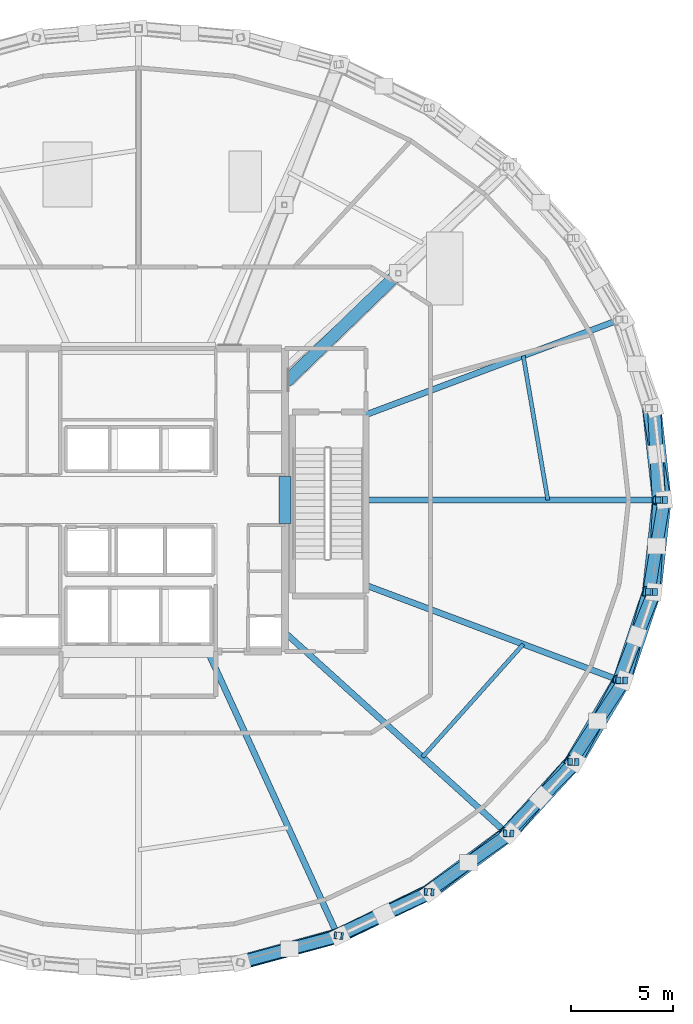
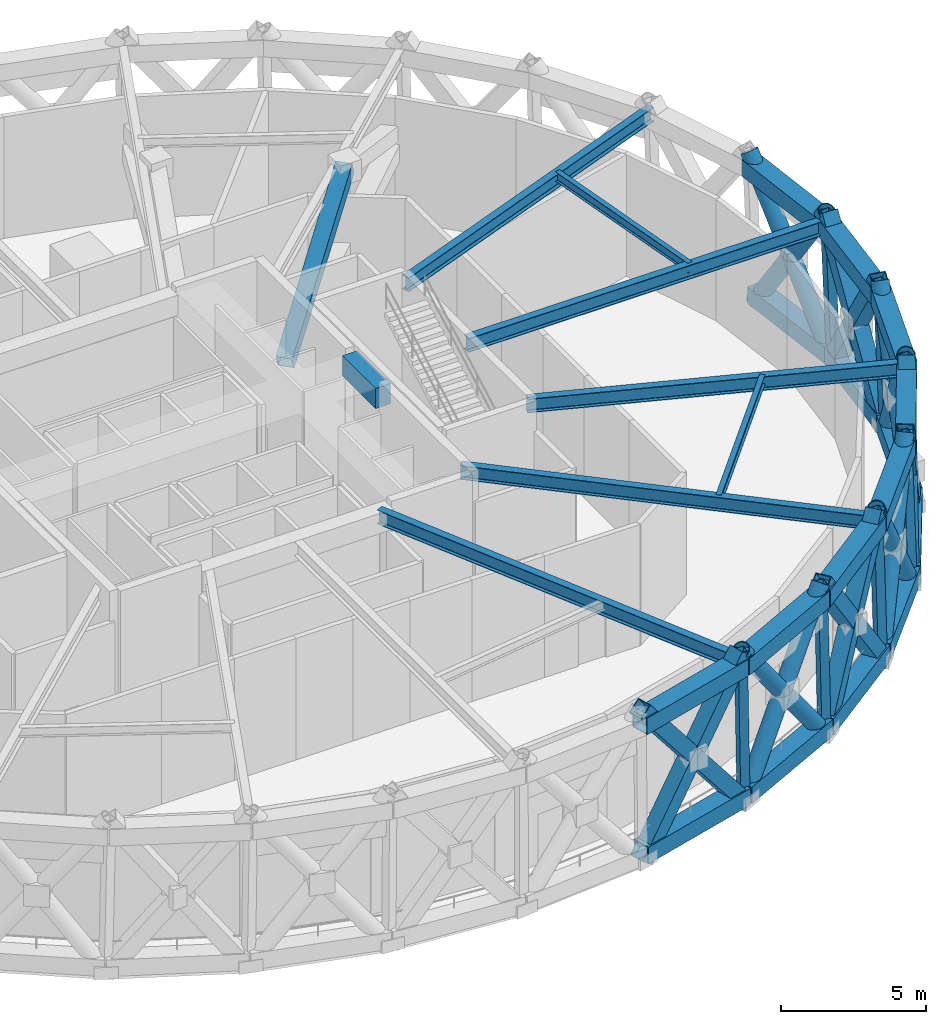
# One storey, part 3 of 15: 32 members, 24 beams.
"""IFC4 building model written with IfcOpenShell, lengths in metres."""

from ifc_helpers import new_model, si_unit, direction, frame, origin, origin_2d, place, context, subcontext, project, spatial, rectangle, hollow_rectangle, hollow_circle, i_section, extrude, material, material_profile, profile_set, type_object, element, save


model = new_model("IFC4")

# Units and contexts
model_context = context("Model", 3, precision=1e-05, world=origin(), true_north=direction((0.0, 1.0)))
body_context = subcontext(model_context, "Body", "Model", "MODEL_VIEW")
ifc_project = project(units=[si_unit("LENGTHUNIT", "METRE"), si_unit("AREAUNIT", "SQUARE_METRE"), si_unit("VOLUMEUNIT", "CUBIC_METRE"), si_unit("PLANEANGLEUNIT", "RADIAN"), si_unit("MASSUNIT", "GRAM", prefix="KILO")], contexts=[model_context])

# Site, building, storey
site_placement = place(None, origin())
site = spatial("IfcSite", under=ifc_project, at=site_placement, CompositionType="ELEMENT")
building_placement = place(site_placement, origin())
building = spatial("IfcBuilding", under=site, at=building_placement, Name="Veldorina Hangang Commons", CompositionType="ELEMENT")
storey_placement = place(building_placement, frame((0.0, 0.0, 208.39990234375)))
storey = spatial("IfcBuildingStorey", under=building, at=storey_placement, Name="L54", CompositionType="ELEMENT", Elevation=208.39990234375)

# Beams
ifc_material_1 = material(Name="Steel SM460-TMC", Category="steel")
ifc_material_profile_1 = material_profile(ifc_material_1, hollow_rectangle(XDim=0.699951171875, YDim=0.699951171875, WallThickness=0.034912109375, at=origin_2d()), Name="BOX-700x700x35")
ifc_profile_set_1 = profile_set([ifc_material_profile_1], Name="Steel SM460-TMC")
beam_type_1 = type_object("IfcBeamType", Name="BM-BLT700", PredefinedType="BEAM", material=ifc_profile_set_1)
beam_1_placement = place(storey_placement, frame((57.614013671875, 24.0, 5.81005859375), z_axis=(-0.108251747865, 0.994123512992, 0.0), x_axis=(-0.994123512992, -0.108251747865, 0.0)))
element("IfcBeam", 1, at=beam_1_placement, inside=storey, type_object=beam_type_1, Name="L54 perimeter hoop ring beam 00", PredefinedType="BEAM", context=body_context, shape_type="SweptSolid", body=[
    extrude(hollow_rectangle(XDim=0.699951171875, YDim=0.699951171875, WallThickness=0.034912109375, at=origin_2d()), origin(), (0.0, 0.0, 1.0), 4.548828125),
])
beam_2_placement = place(storey_placement, frame((36.9970703125, 1.265380859375, 5.81005859375), z_axis=(0.964308978563, 0.264779519341, 0.0), x_axis=(-0.264779519341, 0.964308978563, 0.0)))
element("IfcBeam", 2, at=beam_2_placement, inside=storey, type_object=beam_type_1, Name="L54 perimeter hoop ring beam 25", PredefinedType="BEAM", context=body_context, shape_type="SweptSolid", body=[
    extrude(hollow_rectangle(XDim=0.699951171875, YDim=0.699951171875, WallThickness=0.034912109375, at=origin_2d()), origin(), (0.0, 0.0, 1.0), 4.982666015625),
])
beam_3_placement = place(storey_placement, frame((41.802001953125, 2.584716796875, 5.81005859375), z_axis=(0.90022640721, 0.435422112165, 0.0), x_axis=(-0.435422112165, 0.90022640721, 0.0)))
element("IfcBeam", 3, at=beam_3_placement, inside=storey, type_object=beam_type_1, Name="L54 perimeter hoop ring beam 26", PredefinedType="BEAM", context=body_context, shape_type="SweptSolid", body=[
    extrude(hollow_rectangle(XDim=0.699951171875, YDim=0.699951171875, WallThickness=0.034912109375, at=origin_2d()), origin(), (0.0, 0.0, 1.0), 4.9189453125),
])
beam_4_placement = place(storey_placement, frame((46.230224609375, 4.7265625, 5.81005859375), z_axis=(0.802808760637, 0.596236608944, 0.0), x_axis=(-0.596236608944, 0.802808760637, 0.0)))
element("IfcBeam", 4, at=beam_4_placement, inside=storey, type_object=beam_type_1, Name="L54 perimeter hoop ring beam 27", PredefinedType="BEAM", context=body_context, shape_type="SweptSolid", body=[
    extrude(hollow_rectangle(XDim=0.699951171875, YDim=0.699951171875, WallThickness=0.034912109375, at=origin_2d()), origin(), (0.0, 0.0, 1.0), 4.8349609375),
])
beam_5_placement = place(storey_placement, frame((50.11181640625, 7.609375, 5.81005859375), z_axis=(0.67176763512, 0.740761935041, 0.0), x_axis=(-0.740761935041, 0.67176763512, 0.0)))
element("IfcBeam", 5, at=beam_5_placement, inside=storey, type_object=beam_type_1, Name="L54 perimeter hoop ring beam 28", PredefinedType="BEAM", context=body_context, shape_type="SweptSolid", body=[
    extrude(hollow_rectangle(XDim=0.699951171875, YDim=0.699951171875, WallThickness=0.034912109375, at=origin_2d()), origin(), (0.0, 0.0, 1.0), 4.74169921875),
])
beam_6_placement = place(storey_placement, frame((53.297119140625, 11.121826171875, 5.81005859375), z_axis=(0.508582629605, 0.861013187393, 0.0), x_axis=(-0.861013187393, 0.508582629605, 0.0)))
element("IfcBeam", 6, at=beam_6_placement, inside=storey, type_object=beam_type_1, Name="L54 perimeter hoop ring beam 29", PredefinedType="BEAM", context=body_context, shape_type="SweptSolid", body=[
    extrude(hollow_rectangle(XDim=0.699951171875, YDim=0.699951171875, WallThickness=0.034912109375, at=origin_2d()), origin(), (0.0, 0.0, 1.0), 4.654541015625),
])
beam_7_placement = place(storey_placement, frame((55.664306640625, 15.12939453125, 5.81005859375), z_axis=(0.317760524963, 0.948171001864, 0.0), x_axis=(-0.948171001864, 0.317760524963, 0.0)))
element("IfcBeam", 7, at=beam_7_placement, inside=storey, type_object=beam_type_1, Name="L54 perimeter hoop ring beam 30", PredefinedType="BEAM", context=body_context, shape_type="SweptSolid", body=[
    extrude(hollow_rectangle(XDim=0.699951171875, YDim=0.699951171875, WallThickness=0.034912109375, at=origin_2d()), origin(), (0.0, 0.0, 1.0), 4.586181640625),
])
beam_8_placement = place(storey_placement, frame((57.12158203125, 19.477783203125, 5.81005859375), z_axis=(0.108251747865, 0.994123512992, 0.0), x_axis=(-0.994123512992, 0.108251747865, 0.0)))
element("IfcBeam", 8, at=beam_8_placement, inside=storey, type_object=beam_type_1, Name="L54 perimeter hoop ring beam 31", PredefinedType="BEAM", context=body_context, shape_type="SweptSolid", body=[
    extrude(hollow_rectangle(XDim=0.699951171875, YDim=0.699951171875, WallThickness=0.034912109375, at=origin_2d()), origin(), (0.0, 0.0, 1.0), 4.548828125),
])
beam_9_placement = place(storey_placement, frame((57.84912109375, 24.0, 0.35009765625), z_axis=(-0.109100928002, 0.994030677348, 0.0), x_axis=(-0.994030677348, -0.109100928002, 0.0)))
element("IfcBeam", 9, at=beam_9_placement, inside=storey, type_object=beam_type_1, Name="L54 perimeter belt truss bottom chord 00", PredefinedType="BEAM", context=body_context, shape_type="SweptSolid", body=[
    extrude(hollow_rectangle(XDim=0.699951171875, YDim=0.699951171875, WallThickness=0.034912109375, at=origin_2d()), origin(), (0.0, 0.0, 1.0), 4.551513671875),
])
beam_10_placement = place(storey_placement, frame((37.04296875, 1.254638671875, 0.35009765625), z_axis=(0.964898224681, 0.262624096396, 0.0), x_axis=(-0.262624096396, 0.964898224681, 0.0)))
element("IfcBeam", 10, at=beam_10_placement, inside=storey, type_object=beam_type_1, Name="L54 perimeter belt truss bottom chord 25", PredefinedType="BEAM", context=body_context, shape_type="SweptSolid", body=[
    extrude(hollow_rectangle(XDim=0.699951171875, YDim=0.699951171875, WallThickness=0.034912109375, at=origin_2d()), origin(), (0.0, 0.0, 1.0), 5.025634765625),
])
beam_11_placement = place(storey_placement, frame((41.89208984375, 2.574462890625, 0.35009765625), z_axis=(0.901684415372, 0.432394744504, 0.0), x_axis=(-0.432394744504, 0.901684415372, 0.0)))
element("IfcBeam", 11, at=beam_11_placement, inside=storey, type_object=beam_type_1, Name="L54 perimeter belt truss bottom chord 26", PredefinedType="BEAM", context=body_context, shape_type="SweptSolid", body=[
    extrude(hollow_rectangle(XDim=0.699951171875, YDim=0.699951171875, WallThickness=0.034912109375, at=origin_2d()), origin(), (0.0, 0.0, 1.0), 4.956298828125),
])
beam_12_placement = place(storey_placement, frame((46.361083984375, 4.717529296875, 0.35009765625), z_axis=(0.805268985683, 0.592909656437, 0.0), x_axis=(-0.592909656437, 0.805268985683, 0.0)))
element("IfcBeam", 12, at=beam_12_placement, inside=storey, type_object=beam_type_1, Name="L54 perimeter belt truss bottom chord 27", PredefinedType="BEAM", context=body_context, shape_type="SweptSolid", body=[
    extrude(hollow_rectangle(XDim=0.699951171875, YDim=0.699951171875, WallThickness=0.034912109375, at=origin_2d()), origin(), (0.0, 0.0, 1.0), 4.8642578125),
])
beam_13_placement = place(storey_placement, frame((50.278076171875, 7.6015625, 0.35009765625), z_axis=(0.674986151798, 0.737830397097, 0.0), x_axis=(-0.737830397097, 0.674986151798, 0.0)))
element("IfcBeam", 13, at=beam_13_placement, inside=storey, type_object=beam_type_1, Name="L54 perimeter belt truss bottom chord 28", PredefinedType="BEAM", context=body_context, shape_type="SweptSolid", body=[
    extrude(hollow_rectangle(XDim=0.699951171875, YDim=0.699951171875, WallThickness=0.034912109375, at=origin_2d()), origin(), (0.0, 0.0, 1.0), 4.762939453125),
])
beam_14_placement = place(storey_placement, frame((53.492919921875, 11.11572265625, 0.35009765625), z_axis=(0.511808460899, 0.8590995864, 0.0), x_axis=(-0.8590995864, 0.511808460899, 0.0)))
element("IfcBeam", 14, at=beam_14_placement, inside=storey, type_object=beam_type_1, Name="L54 perimeter belt truss bottom chord 29", PredefinedType="BEAM", context=body_context, shape_type="SweptSolid", body=[
    extrude(hollow_rectangle(XDim=0.699951171875, YDim=0.699951171875, WallThickness=0.034912109375, at=origin_2d()), origin(), (0.0, 0.0, 1.0), 4.667236328125),
])
beam_15_placement = place(storey_placement, frame((55.881591796875, 15.125244140625, 0.35009765625), z_axis=(0.32030776452, 0.947313536263, 0.0), x_axis=(-0.947313536263, 0.32030776452, 0.0)))
element("IfcBeam", 15, at=beam_15_placement, inside=storey, type_object=beam_type_1, Name="L54 perimeter belt truss bottom chord 30", PredefinedType="BEAM", context=body_context, shape_type="SweptSolid", body=[
    extrude(hollow_rectangle(XDim=0.699951171875, YDim=0.699951171875, WallThickness=0.034912109375, at=origin_2d()), origin(), (0.0, 0.0, 1.0), 4.59228515625),
])
beam_16_placement = place(storey_placement, frame((57.3525390625, 19.4755859375, 0.35009765625), z_axis=(0.109100928002, 0.994030677348, 0.0), x_axis=(-0.994030677348, 0.109100928002, 0.0)))
element("IfcBeam", 16, at=beam_16_placement, inside=storey, type_object=beam_type_1, Name="L54 perimeter belt truss bottom chord 31", PredefinedType="BEAM", context=body_context, shape_type="SweptSolid", body=[
    extrude(hollow_rectangle(XDim=0.699951171875, YDim=0.699951171875, WallThickness=0.034912109375, at=origin_2d()), origin(), (0.0, 0.0, 1.0), 4.551513671875),
])
ifc_material_2 = material(Name="Concrete C60/75", Category="concrete")
ifc_material_profile_2 = material_profile(ifc_material_2, rectangle(XDim=0.60009765625, YDim=0.85009765625, at=origin_2d()), Name="RC-CB-600x850")
ifc_profile_set_2 = profile_set([ifc_material_profile_2], Name="Concrete C60/75")
beam_type_2 = type_object("IfcBeamType", Name="BM-CB850", PredefinedType="LINTEL", material=ifc_profile_set_2)
beam_17_placement = place(storey_placement, frame((39.199951171875, 22.85009765625, 5.735107421875), z_axis=(0.0, 1.0, 0.0), x_axis=(-1.0, 0.0, 0.0)))
element("IfcBeam", 17, at=beam_17_placement, inside=storey, type_object=beam_type_2, Name="L54 E core coupling lintel beam", PredefinedType="LINTEL", context=body_context, shape_type="SweptSolid", body=[
    extrude(rectangle(XDim=0.60009765625, YDim=0.85009765625, at=origin_2d()), origin(), (0.0, 0.0, 1.0), 2.2998046875),
])
ifc_material_profile_3 = material_profile(ifc_material_1, i_section(OverallWidth=0.300048828125, OverallDepth=0.587890625, WebThickness=0.011962890625, FlangeThickness=0.02001953125, FilletRadius=0.01806640625, at=origin_2d()), Name="H-588x300x12x20")
ifc_profile_set_3 = profile_set([ifc_material_profile_3], Name="Steel SM460-TMC")
beam_type_3 = type_object("IfcBeamType", Name="BM-FG588", PredefinedType="BEAM", material=ifc_profile_set_3)
beam_18_placement = place(storey_placement, frame((43.179931640625, 24.0, 5.8662109375), z_axis=(1.0, 0.0, 0.0), x_axis=(0.0, 1.0, 0.0)))
element("IfcBeam", 18, at=beam_18_placement, inside=storey, type_object=beam_type_3, Name="L54 radial floor girder 01", PredefinedType="BEAM", context=body_context, shape_type="SweptSolid", body=[
    extrude(i_section(OverallWidth=0.300048828125, OverallDepth=0.587890625, WebThickness=0.011962890625, FlangeThickness=0.02001953125, FilletRadius=0.01806640625, at=origin_2d()), origin(), (0.0, 0.0, 1.0), 14.43408203125),
])
beam_19_placement = place(storey_placement, frame((43.179931640625, 28.19091796875, 5.8662109375), z_axis=(0.936377330538, 0.350995006879, 0.0), x_axis=(-0.350995006879, 0.936377330538, 0.0)))
element("IfcBeam", 19, at=beam_19_placement, inside=storey, type_object=beam_type_3, Name="L54 radial floor girder 02", PredefinedType="BEAM", context=body_context, shape_type="SweptSolid", body=[
    extrude(i_section(OverallWidth=0.300048828125, OverallDepth=0.587890625, WebThickness=0.011962890625, FlangeThickness=0.02001953125, FilletRadius=0.01806640625, at=origin_2d()), origin(), (0.0, 0.0, 1.0), 13.33251953125),
])
beam_20_placement = place(storey_placement, frame((35.409912109375, 16.550048828125, 5.8662109375), z_axis=(0.416187219307, -0.909278944266, 0.0), x_axis=(0.909278944266, 0.416187219307, 0.0)))
element("IfcBeam", 20, at=beam_20_placement, inside=storey, type_object=beam_type_3, Name="L54 radial floor girder 14", PredefinedType="BEAM", context=body_context, shape_type="SweptSolid", body=[
    extrude(i_section(OverallWidth=0.300048828125, OverallDepth=0.587890625, WebThickness=0.011962890625, FlangeThickness=0.02001953125, FilletRadius=0.01806640625, at=origin_2d()), origin(), (0.0, 0.0, 1.0), 15.358642578125),
])
beam_21_placement = place(storey_placement, frame((39.199951171875, 17.484130859375, 5.8662109375), z_axis=(0.741464245952, -0.670992378477, 0.0), x_axis=(0.670992378477, 0.741464245952, 0.0)))
element("IfcBeam", 21, at=beam_21_placement, inside=storey, type_object=beam_type_3, Name="L54 radial floor girder 15", PredefinedType="BEAM", context=body_context, shape_type="SweptSolid", body=[
    extrude(i_section(OverallWidth=0.300048828125, OverallDepth=0.587890625, WebThickness=0.011962890625, FlangeThickness=0.02001953125, FilletRadius=0.01806640625, at=origin_2d()), origin(), (0.0, 0.0, 1.0), 14.716552734375),
])
beam_22_placement = place(storey_placement, frame((43.179931640625, 19.80908203125, 5.8662109375), z_axis=(0.936377330538, -0.350995006879, 0.0), x_axis=(0.350995006879, 0.936377330538, 0.0)))
element("IfcBeam", 22, at=beam_22_placement, inside=storey, type_object=beam_type_3, Name="L54 radial floor girder 16", PredefinedType="BEAM", context=body_context, shape_type="SweptSolid", body=[
    extrude(i_section(OverallWidth=0.300048828125, OverallDepth=0.587890625, WebThickness=0.011962890625, FlangeThickness=0.02001953125, FilletRadius=0.01806640625, at=origin_2d()), origin(), (0.0, 0.0, 1.0), 13.33251953125),
])
ifc_material_3 = material(Name="Steel SM355-TMC", Category="steel")
ifc_material_profile_4 = material_profile(ifc_material_3, i_section(OverallWidth=0.199951171875, OverallDepth=0.39990234375, WebThickness=0.008056640625, FlangeThickness=0.012939453125, FilletRadius=0.012939453125, at=origin_2d()), Name="H-400x200x8x13")
ifc_profile_set_4 = profile_set([ifc_material_profile_4], Name="Steel SM355-TMC")
beam_type_4 = type_object("IfcBeamType", Name="BM-JST400", PredefinedType="JOIST", material=ifc_profile_set_4)
beam_23_placement = place(storey_placement, frame((52.12890625, 24.0, 5.960205078125), z_axis=(-0.168007741191, 0.985785675946, 0.0), x_axis=(-0.985785675946, -0.168007741191, 0.0)))
element("IfcBeam", 23, at=beam_23_placement, inside=storey, type_object=beam_type_4, Name="L54 secondary floor joist 01", PredefinedType="JOIST", context=body_context, shape_type="SweptSolid", body=[
    extrude(i_section(OverallWidth=0.199951171875, OverallDepth=0.39990234375, WebThickness=0.008056640625, FlangeThickness=0.012939453125, FilletRadius=0.012939453125, at=origin_2d()), origin(), (0.0, 0.0, 1.0), 7.194580078125),
])
beam_24_placement = place(storey_placement, frame((45.96533203125, 11.36181640625, 5.960205078125), z_axis=(0.666250590368, 0.745727933521, 0.0), x_axis=(-0.745727933521, 0.666250590368, 0.0)))
element("IfcBeam", 24, at=beam_24_placement, inside=storey, type_object=beam_type_4, Name="L54 secondary floor joist 15", PredefinedType="JOIST", context=body_context, shape_type="SweptSolid", body=[
    extrude(i_section(OverallWidth=0.199951171875, OverallDepth=0.39990234375, WebThickness=0.008056640625, FlangeThickness=0.012939453125, FilletRadius=0.012939453125, at=origin_2d()), origin(), (0.0, 0.0, 1.0), 7.43701171875),
])

# Members
ifc_material_profile_5 = material_profile(ifc_material_1, hollow_circle(Radius=0.324951171875, WallThickness=0.031982421875, at=origin_2d()), Name="CHS-650x32")
ifc_profile_set_5 = profile_set([ifc_material_profile_5], Name="Steel SM460-TMC")
member_type_1 = type_object("IfcMemberType", Name="DG-CHS650", PredefinedType="BRACE", material=ifc_profile_set_5)
member_1_placement = place(storey_placement, frame((57.84912109375, 24.0, 0.0), z_axis=(-0.095363332942, 0.574412895202, 0.812991796119), x_axis=(-0.986497370538, -0.163777098283, 0.0)))
element("IfcMember", 25, at=member_1_placement, inside=storey, type_object=member_type_1, Name="L54 continuous perimeter diagrid brace 00", PredefinedType="BRACE", context=body_context, shape_type="SweptSolid", body=[
    extrude(hollow_circle(Radius=0.324951171875, WallThickness=0.031982421875, at=origin_2d()), origin(), (0.0, 0.0, 1.0), 7.872314453125),
])
member_2_placement = place(storey_placement, frame((57.3525390625, 28.5244140625, 0.0), z_axis=(0.030875639264, -0.576926259478, 0.816212463777), x_axis=(0.998571008565, 0.05344100348, 0.0)))
element("IfcMember", 26, at=member_2_placement, inside=storey, type_object=member_type_1, Name="L54 split perimeter diagrid lower brace 01", PredefinedType="BRACE", context=body_context, shape_type="SweptSolid", body=[
    extrude(hollow_circle(Radius=0.324951171875, WallThickness=0.031982421875, at=origin_2d()), origin(), (0.0, 0.0, 1.0), 3.921875),
])
member_3_placement = place(storey_placement, frame((57.4736328125, 26.26171875, 3.201171875), z_axis=(0.029711822494, -0.577044703538, 0.816171929022), x_axis=(0.998677038604, 0.051421518503, 0.0)))
element("IfcMember", 27, at=member_3_placement, inside=storey, type_object=member_type_1, Name="L54 split perimeter diagrid upper brace 01", PredefinedType="BRACE", context=body_context, shape_type="SweptSolid", body=[
    extrude(hollow_circle(Radius=0.324951171875, WallThickness=0.031982421875, at=origin_2d()), origin(), (0.0, 0.0, 1.0), 3.91943359375),
])
member_4_placement = place(storey_placement, frame((41.89208984375, 2.574462890625, 0.0), z_axis=(0.5393444537, 0.268500069838, 0.798132365438), x_axis=(-0.445656481196, 0.895204055379, 0.0)))
element("IfcMember", 28, at=member_4_placement, inside=storey, type_object=member_type_1, Name="L54 continuous perimeter diagrid brace 26", PredefinedType="BRACE", context=body_context, shape_type="SweptSolid", body=[
    extrude(hollow_circle(Radius=0.324951171875, WallThickness=0.031982421875, at=origin_2d()), origin(), (0.0, 0.0, 1.0), 8.018798828125),
])
member_5_placement = place(storey_placement, frame((46.361083984375, 4.717529296875, 0.0), z_axis=(-0.56168544063, -0.259625084129, 0.785559852255), x_axis=(0.419571900685, -0.907722105138, 0.0)))
element("IfcMember", 29, at=member_5_placement, inside=storey, type_object=member_type_1, Name="L54 split perimeter diagrid lower brace 27", PredefinedType="BRACE", context=body_context, shape_type="SweptSolid", body=[
    extrude(hollow_circle(Radius=0.324951171875, WallThickness=0.031982421875, at=origin_2d()), origin(), (0.0, 0.0, 1.0), 4.090576171875),
])
member_6_placement = place(storey_placement, frame((44.0634765625, 3.655517578125, 3.21337890625), z_axis=(-0.559720471437, -0.263730656542, 0.78559476491), x_axis=(0.426237318841, -0.904611379559, 0.0)))
element("IfcMember", 30, at=member_6_placement, inside=storey, type_object=member_type_1, Name="L54 split perimeter diagrid upper brace 27", PredefinedType="BRACE", context=body_context, shape_type="SweptSolid", body=[
    extrude(hollow_circle(Radius=0.324951171875, WallThickness=0.031982421875, at=origin_2d()), origin(), (0.0, 0.0, 1.0), 4.056396484375),
])
member_7_placement = place(storey_placement, frame((50.278076171875, 7.6015625, 0.0), z_axis=(0.379821844432, 0.445892604021, 0.810503024159), x_axis=(-0.761253845969, 0.64845399374, 0.0)))
element("IfcMember", 31, at=member_7_placement, inside=storey, type_object=member_type_1, Name="L54 continuous perimeter diagrid brace 28", PredefinedType="BRACE", context=body_context, shape_type="SweptSolid", body=[
    extrude(hollow_circle(Radius=0.324951171875, WallThickness=0.031982421875, at=origin_2d()), origin(), (0.0, 0.0, 1.0), 7.896484375),
])
member_8_placement = place(storey_placement, frame((53.492919921875, 11.11572265625, 0.0), z_axis=(-0.424196636086, -0.433574824446, 0.79502835518), x_axis=(0.714795002026, -0.699334043986, 0.0)))
element("IfcMember", 32, at=member_8_placement, inside=storey, type_object=member_type_1, Name="L54 split perimeter diagrid lower brace 29", PredefinedType="BRACE", context=body_context, shape_type="SweptSolid", body=[
    extrude(hollow_circle(Radius=0.324951171875, WallThickness=0.031982421875, at=origin_2d()), origin(), (0.0, 0.0, 1.0), 4.03515625),
])
member_9_placement = place(storey_placement, frame((51.78125, 9.3662109375, 3.2080078125), z_axis=(-0.420034428617, -0.437426906767, 0.795128153201), x_axis=(0.721301147995, -0.692621580592, 0.0)))
element("IfcMember", 33, at=member_9_placement, inside=storey, type_object=member_type_1, Name="L54 split perimeter diagrid upper brace 29", PredefinedType="BRACE", context=body_context, shape_type="SweptSolid", body=[
    extrude(hollow_circle(Radius=0.324951171875, WallThickness=0.031982421875, at=origin_2d()), origin(), (0.0, 0.0, 1.0), 4.0146484375),
])
member_10_placement = place(storey_placement, frame((55.881591796875, 15.125244140625, 0.0), z_axis=(0.155300240983, 0.555547350818, 0.816853093371), x_axis=(-0.963077819354, 0.269223167405, 0.0)))
element("IfcMember", 34, at=member_10_placement, inside=storey, type_object=member_type_1, Name="L54 continuous perimeter diagrid brace 30", PredefinedType="BRACE", context=body_context, shape_type="SweptSolid", body=[
    extrude(hollow_circle(Radius=0.324951171875, WallThickness=0.031982421875, at=origin_2d()), origin(), (0.0, 0.0, 1.0), 7.835205078125),
])
member_11_placement = place(storey_placement, frame((57.3525390625, 19.4755859375, 0.0), z_axis=(-0.217442411131, -0.547947486334, 0.807757606007), x_axis=(0.929489005776, -0.368849817869, 0.0)))
element("IfcMember", 35, at=member_11_placement, inside=storey, type_object=member_type_1, Name="L54 split perimeter diagrid lower brace 31", PredefinedType="BRACE", context=body_context, shape_type="SweptSolid", body=[
    extrude(hollow_circle(Radius=0.324951171875, WallThickness=0.031982421875, at=origin_2d()), origin(), (0.0, 0.0, 1.0), 3.964599609375),
])
member_12_placement = place(storey_placement, frame((56.490478515625, 17.30322265625, 3.202392578125), z_axis=(-0.214327056659, -0.549047326153, 0.807843392266), x_axis=(0.931540446295, -0.363637727575, 0.0)))
element("IfcMember", 36, at=member_12_placement, inside=storey, type_object=member_type_1, Name="L54 split perimeter diagrid upper brace 31", PredefinedType="BRACE", context=body_context, shape_type="SweptSolid", body=[
    extrude(hollow_circle(Radius=0.324951171875, WallThickness=0.031982421875, at=origin_2d()), origin(), (0.0, 0.0, 1.0), 3.95849609375),
])
ifc_material_profile_6 = material_profile(ifc_material_1, hollow_rectangle(XDim=0.60009765625, YDim=0.60009765625, WallThickness=0.030029296875, at=origin_2d()), Name="BOX-600x600x30")
ifc_profile_set_6 = profile_set([ifc_material_profile_6], Name="Steel SM460-TMC")
member_type_2 = type_object("IfcMemberType", Name="OR-BOX600", PredefinedType="BRACE", material=ifc_profile_set_6)
member_13_placement = place(storey_placement, frame((37.04296875, 1.254638671875, 0.0), z_axis=(0.587827702988, 0.164722277791, 0.792038611937), x_axis=(-0.269828179907, 0.962908486476, 0.0)))
element("IfcMember", 37, at=member_13_placement, inside=storey, type_object=member_type_2, Name="L54 belt truss continuous brace 25", PredefinedType="BRACE", context=body_context, shape_type="SweptSolid", body=[
    extrude(hollow_rectangle(XDim=0.60009765625, YDim=0.60009765625, WallThickness=0.030029296875, at=origin_2d()), origin(), (0.0, 0.0, 1.0), 8.08056640625),
])
member_14_placement = place(storey_placement, frame((41.89208984375, 2.574462890625, 0.0), z_axis=(-0.60040897796, -0.158732230791, 0.783781307568), x_axis=(0.255592259436, -0.966784669364, 0.0)))
element("IfcMember", 38, at=member_14_placement, inside=storey, type_object=member_type_2, Name="L54 belt truss split lower brace 26", PredefinedType="BRACE", context=body_context, shape_type="SweptSolid", body=[
    extrude(hollow_rectangle(XDim=0.60009765625, YDim=0.60009765625, WallThickness=0.030029296875, at=origin_2d()), origin(), (0.0, 0.0, 1.0), 4.10205078125),
])
member_15_placement = place(storey_placement, frame((39.42919921875, 1.92333984375, 3.215087890625), z_axis=(-0.599641098369, -0.161610515441, 0.783780960758), x_axis=(0.260226719378, -0.965547541306, 0.0)))
element("IfcMember", 39, at=member_15_placement, inside=storey, type_object=member_type_2, Name="L54 belt truss split upper brace 26", PredefinedType="BRACE", context=body_context, shape_type="SweptSolid", body=[
    extrude(hollow_rectangle(XDim=0.60009765625, YDim=0.60009765625, WallThickness=0.030029296875, at=origin_2d()), origin(), (0.0, 0.0, 1.0), 4.063720703125),
])
member_16_placement = place(storey_placement, frame((46.361083984375, 4.717529296875, 0.0), z_axis=(0.469417739932, 0.363649887715, 0.804615277385), x_axis=(-0.612415031347, 0.790536418756, 0.0)))
element("IfcMember", 40, at=member_16_placement, inside=storey, type_object=member_type_2, Name="L54 belt truss continuous brace 27", PredefinedType="BRACE", context=body_context, shape_type="SweptSolid", body=[
    extrude(hollow_rectangle(XDim=0.60009765625, YDim=0.60009765625, WallThickness=0.030029296875, at=origin_2d()), origin(), (0.0, 0.0, 1.0), 7.954345703125),
])
member_17_placement = place(storey_placement, frame((50.278076171875, 7.6015625, 0.0), z_axis=(-0.502585524355, -0.352326139804, 0.78947709398), x_axis=(0.574026729325, -0.818836561238, 0.0)))
element("IfcMember", 41, at=member_17_placement, inside=storey, type_object=member_type_2, Name="L54 belt truss split lower brace 28", PredefinedType="BRACE", context=body_context, shape_type="SweptSolid", body=[
    extrude(hollow_rectangle(XDim=0.60009765625, YDim=0.60009765625, WallThickness=0.030029296875, at=origin_2d()), origin(), (0.0, 0.0, 1.0), 4.06689453125),
])
member_18_placement = place(storey_placement, frame((48.234130859375, 6.168701171875, 3.210693359375), z_axis=(-0.499331508855, -0.35676033609, 0.789550572704), x_axis=(0.581340663874, -0.813660268495, 0.0)))
element("IfcMember", 42, at=member_18_placement, inside=storey, type_object=member_type_2, Name="L54 belt truss split upper brace 28", PredefinedType="BRACE", context=body_context, shape_type="SweptSolid", body=[
    extrude(hollow_rectangle(XDim=0.60009765625, YDim=0.60009765625, WallThickness=0.030029296875, at=origin_2d()), origin(), (0.0, 0.0, 1.0), 4.03955078125),
])
member_19_placement = place(storey_placement, frame((53.492919921875, 11.11572265625, 0.0), z_axis=(0.273620275076, 0.511060384278, 0.814830797582), x_axis=(-0.881596320506, 0.47200416065, 0.0)))
element("IfcMember", 43, at=member_19_placement, inside=storey, type_object=member_type_2, Name="L54 belt truss continuous brace 29", PredefinedType="BRACE", context=body_context, shape_type="SweptSolid", body=[
    extrude(hollow_rectangle(XDim=0.60009765625, YDim=0.60009765625, WallThickness=0.030029296875, at=origin_2d()), origin(), (0.0, 0.0, 1.0), 7.8544921875),
])
member_20_placement = place(storey_placement, frame((55.881591796875, 15.125244140625, 0.0), z_axis=(-0.328210507608, -0.500008195184, 0.801417286714), x_axis=(0.835986452139, -0.548750081404, 0.0)))
element("IfcMember", 44, at=member_20_placement, inside=storey, type_object=member_type_2, Name="L54 belt truss split lower brace 30", PredefinedType="BRACE", context=body_context, shape_type="SweptSolid", body=[
    extrude(hollow_rectangle(XDim=0.60009765625, YDim=0.60009765625, WallThickness=0.030029296875, at=origin_2d()), origin(), (0.0, 0.0, 1.0), 3.9990234375),
])
member_21_placement = place(storey_placement, frame((54.569091796875, 13.125732421875, 3.204833984375), z_axis=(-0.324039198011, -0.502502668622, 0.801554531008), x_axis=(0.840415536935, -0.541942547949, 0.0)))
element("IfcMember", 45, at=member_21_placement, inside=storey, type_object=member_type_2, Name="L54 belt truss split upper brace 30", PredefinedType="BRACE", context=body_context, shape_type="SweptSolid", body=[
    extrude(hollow_rectangle(XDim=0.60009765625, YDim=0.60009765625, WallThickness=0.030029296875, at=origin_2d()), origin(), (0.0, 0.0, 1.0), 3.986328125),
])
member_22_placement = place(storey_placement, frame((57.3525390625, 19.4755859375, 0.0), z_axis=(0.030293921396, 0.576985561466, 0.816192342641), x_axis=(-0.998624519819, 0.052431559345, 0.0)))
element("IfcMember", 46, at=member_22_placement, inside=storey, type_object=member_type_2, Name="L54 belt truss continuous brace 31", PredefinedType="BRACE", context=body_context, shape_type="SweptSolid", body=[
    extrude(hollow_rectangle(XDim=0.60009765625, YDim=0.60009765625, WallThickness=0.030029296875, at=origin_2d()), origin(), (0.0, 0.0, 1.0), 7.841552734375),
])
member_23_placement = place(storey_placement, frame((57.84912109375, 24.0, 0.0), z_axis=(-0.095979996626, -0.574329915208, 0.812977852555), x_axis=(0.986321883601, -0.164830646207, 0.0)))
element("IfcMember", 47, at=member_23_placement, inside=storey, type_object=member_type_2, Name="L54 belt truss split lower brace 00", PredefinedType="BRACE", context=body_context, shape_type="SweptSolid", body=[
    extrude(hollow_rectangle(XDim=0.60009765625, YDim=0.60009765625, WallThickness=0.030029296875, at=origin_2d()), origin(), (0.0, 0.0, 1.0), 3.9375),
])
member_24_placement = place(storey_placement, frame((57.47119140625, 21.738525390625, 3.201171875), z_axis=(-0.094746187777, -0.574495712266, 0.813005434477), x_axis=(0.986671868899, -0.162722534162, 0.0)))
element("IfcMember", 48, at=member_24_placement, inside=storey, type_object=member_type_2, Name="L54 belt truss split upper brace 00", PredefinedType="BRACE", context=body_context, shape_type="SweptSolid", body=[
    extrude(hollow_rectangle(XDim=0.60009765625, YDim=0.60009765625, WallThickness=0.030029296875, at=origin_2d()), origin(), (0.0, 0.0, 1.0), 3.934814453125),
])
member_25_placement = place(storey_placement, frame((39.35009765625, 29.89990234375, 2.85009765625), z_axis=(0.662886326261, 0.64139989242, 0.386248490559), x_axis=(-0.695363760036, 0.718657944525, 0.0)))
element("IfcMember", 49, at=member_25_placement, inside=storey, type_object=member_type_2, Name="L54 outrigger inner web diagonal 01", PredefinedType="BRACE", context=body_context, shape_type="SweptSolid", body=[
    extrude(hollow_rectangle(XDim=0.60009765625, YDim=0.60009765625, WallThickness=0.030029296875, at=origin_2d()), origin(), (0.0, 0.0, 1.0), 8.18115234375),
])
ifc_material_profile_7 = material_profile(ifc_material_3, hollow_rectangle(XDim=0.35009765625, YDim=0.35009765625, WallThickness=0.01611328125, at=origin_2d()), Name="SHS-350x350x16")
ifc_profile_set_7 = profile_set([ifc_material_profile_7], Name="Steel SM355-TMC")
member_type_3 = type_object("IfcMemberType", Name="STR-SHS350", PredefinedType="STRUT", material=ifc_profile_set_7)
member_26_placement = place(storey_placement, frame((57.84912109375, 24.0, 0.0), z_axis=(-0.040439903599, 0.0, 0.999181972514), x_axis=(0.0, -1.0, 0.0)))
element("IfcMember", 50, at=member_26_placement, inside=storey, type_object=member_type_3, Name="L54 perimeter ring node post 00", PredefinedType="STRUT", context=body_context, shape_type="SweptSolid", body=[
    extrude(hollow_rectangle(XDim=0.35009765625, YDim=0.35009765625, WallThickness=0.01611328125, at=origin_2d()), origin(), (0.0, 0.0, 1.0), 6.4052734375),
])
member_27_placement = place(storey_placement, frame((41.89208984375, 2.574462890625, 0.0), z_axis=(-0.015485435551, 0.001754507476, 0.99987855412), x_axis=(-0.112580200727, -0.993642641197, 0.0)))
element("IfcMember", 51, at=member_27_placement, inside=storey, type_object=member_type_3, Name="L54 perimeter ring node post 26", PredefinedType="STRUT", context=body_context, shape_type="SweptSolid", body=[
    extrude(hollow_rectangle(XDim=0.35009765625, YDim=0.35009765625, WallThickness=0.01611328125, at=origin_2d()), origin(), (0.0, 0.0, 1.0), 6.40087890625),
])
member_28_placement = place(storey_placement, frame((46.361083984375, 4.717529296875, 0.0), z_axis=(-0.02250047338, 0.001563592218, 0.999745609581), x_axis=(-0.069324340897, -0.99759417388, 0.0)))
element("IfcMember", 52, at=member_28_placement, inside=storey, type_object=member_type_3, Name="L54 perimeter ring node post 27", PredefinedType="STRUT", context=body_context, shape_type="SweptSolid", body=[
    extrude(hollow_rectangle(XDim=0.35009765625, YDim=0.35009765625, WallThickness=0.01611328125, at=origin_2d()), origin(), (0.0, 0.0, 1.0), 6.40185546875),
])
member_29_placement = place(storey_placement, frame((50.278076171875, 7.6015625, 0.0), z_axis=(-0.028597847807, 0.001334566231, 0.999590107011), x_axis=(-0.046615934699, -0.998912886408, 0.0)))
element("IfcMember", 53, at=member_29_placement, inside=storey, type_object=member_type_3, Name="L54 perimeter ring node post 28", PredefinedType="STRUT", context=body_context, shape_type="SweptSolid", body=[
    extrude(hollow_rectangle(XDim=0.35009765625, YDim=0.35009765625, WallThickness=0.01611328125, at=origin_2d()), origin(), (0.0, 0.0, 1.0), 6.40283203125),
])
member_30_placement = place(storey_placement, frame((53.492919921875, 11.11572265625, 0.0), z_axis=(-0.033663895534, 0.001067484796, 0.999432640358), x_axis=(-0.031694148584, -0.999497614277, 0.0)))
element("IfcMember", 54, at=member_30_placement, inside=storey, type_object=member_type_3, Name="L54 perimeter ring node post 29", PredefinedType="STRUT", context=body_context, shape_type="SweptSolid", body=[
    extrude(hollow_rectangle(XDim=0.35009765625, YDim=0.35009765625, WallThickness=0.01611328125, at=origin_2d()), origin(), (0.0, 0.0, 1.0), 6.40380859375),
])
member_31_placement = place(storey_placement, frame((55.881591796875, 15.125244140625, 0.0), z_axis=(-0.037395139771, 0.000724268762, 0.999300294684), x_axis=(-0.019364360215, -0.999812493197, 0.0)))
element("IfcMember", 55, at=member_31_placement, inside=storey, type_object=member_type_3, Name="L54 perimeter ring node post 30", PredefinedType="STRUT", context=body_context, shape_type="SweptSolid", body=[
    extrude(hollow_rectangle(XDim=0.35009765625, YDim=0.35009765625, WallThickness=0.01611328125, at=origin_2d()), origin(), (0.0, 0.0, 1.0), 6.404541015625),
])
member_32_placement = place(storey_placement, frame((57.3525390625, 19.4755859375, 0.0), z_axis=(-0.039678814495, 0.000381160562, 0.999212413052), x_axis=(-0.009605704747, -0.999953864154, 0.0)))
element("IfcMember", 56, at=member_32_placement, inside=storey, type_object=member_type_3, Name="L54 perimeter ring node post 31", PredefinedType="STRUT", context=body_context, shape_type="SweptSolid", body=[
    extrude(hollow_rectangle(XDim=0.35009765625, YDim=0.35009765625, WallThickness=0.01611328125, at=origin_2d()), origin(), (0.0, 0.0, 1.0), 6.4052734375),
])

save(model, "model.ifc")
